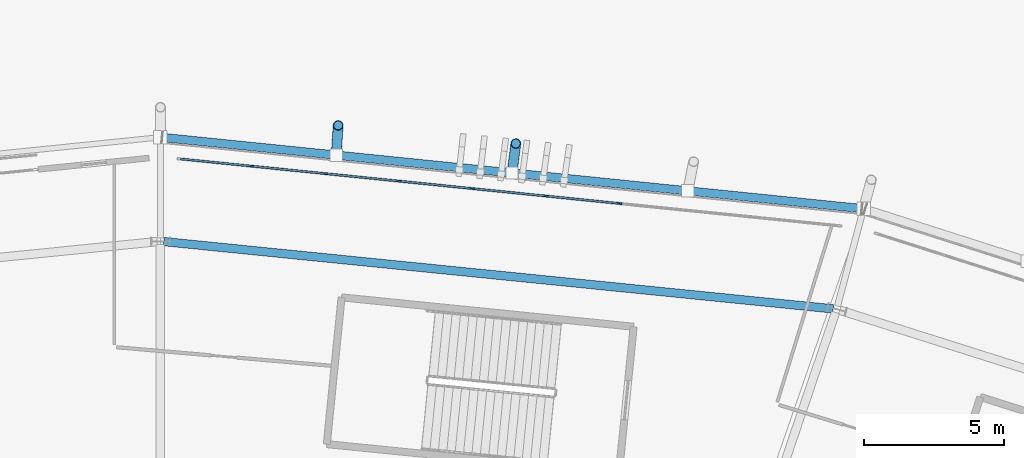
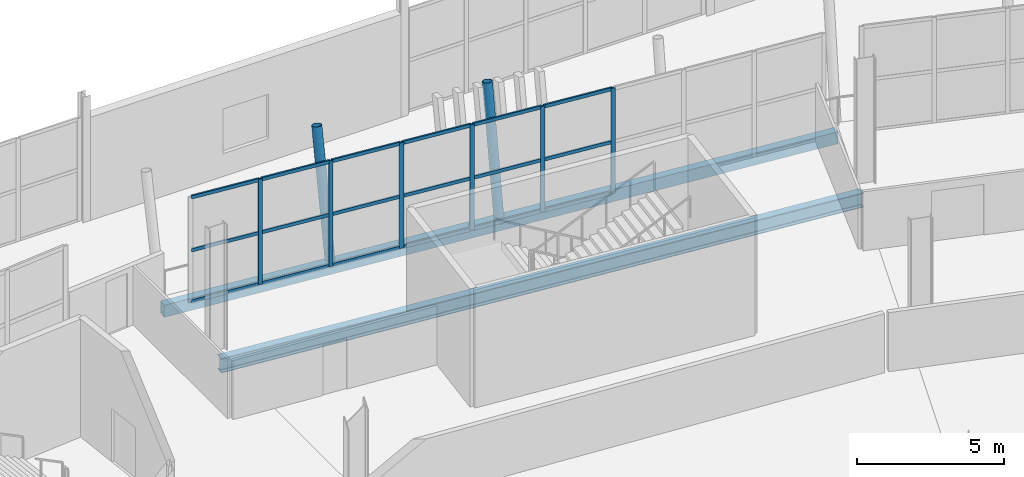
# One storey, part 71 of 168: 26 members, 2 beams, 1 element without a shape of its own.
"""IFC4 building model written with IfcOpenShell, lengths in metres."""

import ifcopenshell
import ifcopenshell.guid

model = None  # the IFC model being written
_history = None  # IfcOwnerHistory: only IFC2X3 demands one
_inside = {}  # id of a spatial element -> (the spatial element, [elements in it])
_under = {}  # id of a project, library or spatial element -> (it, [spatial elements below it])
_declared = {}  # id of a project -> (the project, [libraries it declares])
_typed = {}  # id of a type object -> (the type object, [elements of that type])
_made_of = {}  # id of a material, layer set ... -> (it, [elements and type objects made of it])


def new_model(schema):
    """Start an empty IFC model of exactly this schema.

    Asked for "IFC4X3", IfcOpenShell would pick the latest addendum, in which some entities
    have other attributes; the version numbers below select the first issue.
    IFC2X3 requires an IfcOwnerHistory on every rooted entity: one is made here for all.
    """
    global model, _history
    if schema == "IFC4X3":
        model = ifcopenshell.file(schema_version=(4, 3, 0, 0))
    else:
        model = ifcopenshell.file(schema=schema)
    _inside.clear()
    _under.clear()
    _declared.clear()
    _typed.clear()
    _made_of.clear()
    _history = None
    if model.schema == "IFC2X3":
        org = make("IfcOrganization", Name="unknown")
        user = make(
            "IfcPersonAndOrganization",
            ThePerson=make("IfcPerson", FamilyName="unknown"),
            TheOrganization=org,
        )
        app = make(
            "IfcApplication",
            ApplicationDeveloper=org,
            Version="unknown",
            ApplicationFullName="unknown",
            ApplicationIdentifier="unknown",
        )
        _history = make(
            "IfcOwnerHistory",
            OwningUser=user,
            OwningApplication=app,
            ChangeAction="ADDED",
            CreationDate=0,
        )
    return model


def make(cls, **values):
    """One entity of the class cls with the attributes given. An attribute that is None is left unset."""
    return model.create_entity(
        cls, **{name: value for name, value in values.items() if value is not None}
    )


def rooted(cls, **values):
    """An entity with a GlobalId (a new one), such as an element, a storey or a relation."""
    return make(cls, GlobalId=ifcopenshell.guid.new(), OwnerHistory=_history, **values)


def si_unit(unit_type, name, prefix=None):
    """IfcSIUnit, for example si_unit("LENGTHUNIT", "METRE", prefix="MILLI")."""
    return make("IfcSIUnit", UnitType=unit_type, Prefix=prefix, Name=name)


def assignment(units):
    """IfcUnitAssignment: the units of a project."""
    return None if units is None else make("IfcUnitAssignment", Units=units)


def point(xyz):
    """IfcCartesianPoint."""
    return None if xyz is None else make("IfcCartesianPoint", Coordinates=xyz)


def direction(xyz):
    """IfcDirection."""
    return None if xyz is None else make("IfcDirection", DirectionRatios=xyz)


def frame(location, z_axis=None, x_axis=None):
    """IfcAxis2Placement3D, a coordinate frame: its origin and axes. An axis left out is left unset."""
    return make(
        "IfcAxis2Placement3D",
        Location=point(location),
        Axis=direction(z_axis),
        RefDirection=direction(x_axis),
    )


def frame_2d(location, x_axis=None):
    """IfcAxis2Placement2D, a coordinate frame in the plane: its origin and x axis."""
    return make(
        "IfcAxis2Placement2D", Location=point(location), RefDirection=direction(x_axis)
    )


def origin():
    """The frame at (0, 0, 0) with its axes left unset."""
    return frame((0.0, 0.0, 0.0))


def origin_2d():
    """The frame at (0, 0) in the plane with its x axis left unset."""
    return frame_2d((0.0, 0.0))


def place(relative_to, where):
    """IfcLocalPlacement: puts the frame where relative to a parent placement (None: the world)."""
    return make(
        "IfcLocalPlacement", PlacementRelTo=relative_to, RelativePlacement=where
    )


def context(
    kind, dimensions, precision=None, world=None, true_north=None, identifier=None
):
    """IfcGeometricRepresentationContext, for example the 3D "Model" context."""
    return make(
        "IfcGeometricRepresentationContext",
        ContextIdentifier=identifier,
        ContextType=kind,
        CoordinateSpaceDimension=dimensions,
        Precision=precision,
        WorldCoordinateSystem=world,
        TrueNorth=true_north,
    )


def subcontext(parent, identifier, kind, view, scale=None):
    """IfcGeometricRepresentationSubContext, for example "Body" below "Model"."""
    return make(
        "IfcGeometricRepresentationSubContext",
        ContextIdentifier=identifier,
        ContextType=kind,
        ParentContext=parent,
        TargetScale=scale,
        TargetView=view,
    )


def project(units=None, contexts=None):
    """IfcProject with its units and contexts."""
    return rooted(
        "IfcProject",
        Name="project",
        RepresentationContexts=contexts,
        UnitsInContext=assignment(units),
    )


def spatial(cls, under=None, at=None, **own):
    """A site, building, storey or space (cls), placed at a placement, below another one or the project."""
    s = rooted(cls, ObjectPlacement=at, **own)
    if under is not None:
        _under.setdefault(under.id(), (under, []))[1].append(s)
    return s


def profile(cls, at=None, kind="AREA", **sizes):
    """A parametric profile (cls). Its sizes go by their IFC names, for example OverallWidth=200.0."""
    return make(cls, ProfileType=kind, Position=at, **sizes)


def rectangle(**sizes):
    """IfcRectangleProfileDef."""
    return profile("IfcRectangleProfileDef", **sizes)


def hollow_rectangle(**sizes):
    """IfcRectangleHollowProfileDef."""
    return profile("IfcRectangleHollowProfileDef", **sizes)


def hollow_circle(**sizes):
    """IfcCircleHollowProfileDef."""
    return profile("IfcCircleHollowProfileDef", **sizes)


def i_section(**sizes):
    """IfcIShapeProfileDef."""
    return profile("IfcIShapeProfileDef", **sizes)


def extrude(swept, where, along, depth):
    """IfcExtrudedAreaSolid: the profile swept, set in the frame where, extruded along a direction by depth."""
    return make(
        "IfcExtrudedAreaSolid",
        SweptArea=swept,
        Position=where,
        ExtrudedDirection=direction(along),
        Depth=depth,
    )


def shape(context_of_items, identifier, shape_type, items):
    """IfcShapeRepresentation: the items that make up one representation, for example the "Body"."""
    return make(
        "IfcShapeRepresentation",
        ContextOfItems=context_of_items,
        RepresentationIdentifier=identifier,
        RepresentationType=shape_type,
        Items=items,
    )


def material(Name=None, Category=None):
    """IfcMaterial."""
    return make("IfcMaterial", Name=Name, Category=Category)


def material_profile(
    of_material, cross_section, Name=None, Category=None, Priority=None
):
    """IfcMaterialProfile: a cross section and its material."""
    return make(
        "IfcMaterialProfile",
        Name=Name,
        Material=of_material,
        Profile=cross_section,
        Priority=Priority,
        Category=Category,
    )


def profile_set(profiles, Name=None, composite=None):
    """IfcMaterialProfileSet."""
    return make(
        "IfcMaterialProfileSet",
        Name=Name,
        MaterialProfiles=profiles,
        CompositeProfile=composite,
    )


def made_of(thing, what):
    """Note that an element or type object is made of a material, layer set ...; save() writes the relation."""
    if what is not None:
        _made_of.setdefault(what.id(), (what, []))[1].append(thing)
    return thing


def type_object(cls, material=None, **own):
    """A type object (cls), such as IfcWallType, which elements share."""
    return made_of(rooted(cls, **own), material)


def element(
    cls,
    number,
    at=None,
    inside=None,
    cuts=None,
    type_object=None,
    material=None,
    context=None,
    identifier="Body",
    shape_type=None,
    held_by="IfcProductDefinitionShape",
    body=None,
    shapes=None,
    **own,
):
    """One element of the class cls, such as IfcWall. Its Tag is "e" and its number.

    at: its placement. inside: the storey or other place that contains it. cuts: it is an
    opening in that element (IfcRelVoidsElement). A single representation is given by context,
    identifier, shape_type and body (its items); several are given by shapes. held_by: the class
    of the entity that holds the representations. save() writes the other relations.
    """
    e = rooted(cls, Tag="e%d" % number, ObjectPlacement=at, **own)
    if body is not None:
        shapes = [shape(context, identifier, shape_type, body)]
    if shapes is not None:
        e.Representation = make(held_by, Representations=shapes)
    if inside is not None:
        _inside.setdefault(inside.id(), (inside, []))[1].append(e)
    if cuts is not None:
        rooted(
            "IfcRelVoidsElement", RelatingBuildingElement=cuts, RelatedOpeningElement=e
        )
    if type_object is not None:
        _typed.setdefault(type_object.id(), (type_object, []))[1].append(e)
    return made_of(e, material)


def aggregate(whole, parts):
    """IfcRelAggregates: a whole, such as a stair, and the parts it consists of."""
    return rooted("IfcRelAggregates", RelatingObject=whole, RelatedObjects=parts)


def save(model, path):
    """Write the relations noted so far, then the file.

    IfcRelAggregates (storeys below a building ...), IfcRelContainedInSpatialStructure (elements
    in a storey), IfcRelDefinesByType, IfcRelAssociatesMaterial and IfcRelDeclares: one each for
    every whole, place, type object, material and project.
    """
    for whole, parts in _under.values():
        aggregate(whole, parts)
    for where, things in _inside.values():
        rooted(
            "IfcRelContainedInSpatialStructure",
            RelatedElements=things,
            RelatingStructure=where,
        )
    for kind, things in _typed.values():
        rooted("IfcRelDefinesByType", RelatedObjects=things, RelatingType=kind)
    for what, things in _made_of.values():
        rooted("IfcRelAssociatesMaterial", RelatedObjects=things, RelatingMaterial=what)
    for by, libraries in _declared.values():
        rooted("IfcRelDeclares", RelatingContext=by, RelatedDefinitions=libraries)
    model.write(path)


model = new_model("IFC4")

# Units and contexts
model_context = context("Model", 3, precision=1e-05, world=origin(), true_north=direction((0.0, 1.0)))
body_context = subcontext(model_context, "Body", "Model", "MODEL_VIEW")
ifc_project = project(units=[si_unit("LENGTHUNIT", "METRE"), si_unit("AREAUNIT", "SQUARE_METRE"), si_unit("VOLUMEUNIT", "CUBIC_METRE"), si_unit("PLANEANGLEUNIT", "RADIAN"), si_unit("MASSUNIT", "GRAM", prefix="KILO")], contexts=[model_context])

# Site, building, storey
site_placement = place(None, origin())
site = spatial("IfcSite", under=ifc_project, at=site_placement, CompositionType="ELEMENT")
building_placement = place(site_placement, origin())
building = spatial("IfcBuilding", under=site, at=building_placement, Name="Zlatoyarsky Gate Stadium", CompositionType="ELEMENT")
storey_placement = place(building_placement, frame((0.0, 0.0, 15.60009765625)))
storey = spatial("IfcBuildingStorey", under=building, at=storey_placement, Name="L03", CompositionType="ELEMENT", Elevation=15.60009765625)

# Curtain wall, members
ifc_material_1 = material(Name="Thermally broken anodised aluminium curtain wall", Category="aluminium")
curtain_wall_type = type_object("IfcCurtainWallType", Name="UNITISED CORPORATE BOX GLAZING L03", PredefinedType="USERDEFINED", material=ifc_material_1)
curtain_wall_placement = place(storey_placement, origin())
curtain_wall = element("IfcCurtainWall", 1, at=curtain_wall_placement, inside=storey, type_object=curtain_wall_type, Name="Curtain wall CW-L03-05", ObjectType="UNITISED GLAZING", PredefinedType="USERDEFINED")
ifc_material_2 = material(Name="Anodised aluminium 6063-T6", Category="aluminium")
ifc_material_profile_1 = material_profile(ifc_material_2, rectangle(XDim=0.06494140625, YDim=0.159912109375, at=origin_2d()), Name="ALU 65X160")
ifc_profile_set_1 = profile_set([ifc_material_profile_1], Name="Anodised aluminium 6063-T6")
member_type_1 = type_object("IfcMemberType", Name="ALUMINIUM MULLION 65X160", PredefinedType="MULLION", material=ifc_profile_set_1)
member_1_placement = place(storey_placement, frame((127.34912109375, 152.343017578125, 0.0), z_axis=(0.0, 0.0, 1.0), x_axis=(-0.100968176403, -0.994889655868, 0.0)))
member_1 = element("IfcMember", 2, at=member_1_placement, type_object=member_type_1, Name="CW-UG3 mullion 4", PredefinedType="MULLION", context=body_context, shape_type="SweptSolid", body=[
    extrude(rectangle(XDim=0.06494140625, YDim=0.159912109375, at=origin_2d()), origin(), (0.0, 0.0, 1.0), 4.3798828125),
])
member_2_placement = place(storey_placement, frame((124.732177734375, 152.608642578125, 0.0), z_axis=(0.0, 0.0, 1.0), x_axis=(-0.100968176403, -0.994889655868, 0.0)))
member_2 = element("IfcMember", 3, at=member_2_placement, type_object=member_type_1, Name="CW-UG3 mullion 5", PredefinedType="MULLION", context=body_context, shape_type="SweptSolid", body=[
    extrude(rectangle(XDim=0.06494140625, YDim=0.159912109375, at=origin_2d()), origin(), (0.0, 0.0, 1.0), 4.3798828125),
])
member_3_placement = place(storey_placement, frame((122.114990234375, 152.874267578125, 0.0), z_axis=(0.0, 0.0, 1.0), x_axis=(-0.100968176403, -0.994889655868, 0.0)))
member_3 = element("IfcMember", 4, at=member_3_placement, type_object=member_type_1, Name="CW-UG3 mullion 6", PredefinedType="MULLION", context=body_context, shape_type="SweptSolid", body=[
    extrude(rectangle(XDim=0.06494140625, YDim=0.159912109375, at=origin_2d()), origin(), (0.0, 0.0, 1.0), 4.3798828125),
])
member_4_placement = place(storey_placement, frame((119.498046875, 153.139892578125, 0.0), z_axis=(0.0, 0.0, 1.0), x_axis=(-0.100968176403, -0.994889655868, 0.0)))
member_4 = element("IfcMember", 5, at=member_4_placement, type_object=member_type_1, Name="CW-UG3 mullion 7", PredefinedType="MULLION", context=body_context, shape_type="SweptSolid", body=[
    extrude(rectangle(XDim=0.06494140625, YDim=0.159912109375, at=origin_2d()), origin(), (0.0, 0.0, 1.0), 4.3798828125),
])
member_5_placement = place(storey_placement, frame((116.880859375, 153.405517578125, 0.0), z_axis=(0.0, 0.0, 1.0), x_axis=(-0.100968176403, -0.994889655868, 0.0)))
member_5 = element("IfcMember", 6, at=member_5_placement, type_object=member_type_1, Name="CW-UG3 mullion 8", PredefinedType="MULLION", context=body_context, shape_type="SweptSolid", body=[
    extrude(rectangle(XDim=0.06494140625, YDim=0.159912109375, at=origin_2d()), origin(), (0.0, 0.0, 1.0), 4.3798828125),
])
member_6_placement = place(storey_placement, frame((114.263671875, 153.6708984375, 0.0), z_axis=(0.0, 0.0, 1.0), x_axis=(-0.100968176403, -0.994889655868, 0.0)))
member_6 = element("IfcMember", 7, at=member_6_placement, type_object=member_type_1, Name="CW-UG3 mullion 9", PredefinedType="MULLION", context=body_context, shape_type="SweptSolid", body=[
    extrude(rectangle(XDim=0.06494140625, YDim=0.159912109375, at=origin_2d()), origin(), (0.0, 0.0, 1.0), 4.3798828125),
])
ifc_material_profile_2 = material_profile(ifc_material_2, rectangle(XDim=0.06494140625, YDim=0.139892578125, at=origin_2d()), Name="ALU 65X140")
ifc_profile_set_2 = profile_set([ifc_material_profile_2], Name="Anodised aluminium 6063-T6")
member_type_2 = type_object("IfcMemberType", Name="ALUMINIUM TRANSOM 65X140", PredefinedType="USERDEFINED", material=ifc_profile_set_2)
member_7_placement = place(storey_placement, frame((127.31689453125, 152.34619140625, 0.032470703125), z_axis=(-0.994890082067, 0.100963976765, 0.0), x_axis=(-0.100963976765, -0.994890082067, 0.0)))
member_7 = element("IfcMember", 8, at=member_7_placement, type_object=member_type_2, Name="CW-UG3 transom 4.1", ObjectType="TRANSOM", PredefinedType="USERDEFINED", context=body_context, shape_type="SweptSolid", body=[
    extrude(rectangle(XDim=0.06494140625, YDim=0.139892578125, at=origin_2d()), origin(), (0.0, 0.0, 1.0), 2.565673828125),
])
member_8_placement = place(storey_placement, frame((127.31689453125, 152.34619140625, 2.14990234375), z_axis=(-0.994890082067, 0.100963976765, 0.0), x_axis=(-0.100963976765, -0.994890082067, 0.0)))
member_8 = element("IfcMember", 9, at=member_8_placement, type_object=member_type_2, Name="CW-UG3 transom 4.2", ObjectType="TRANSOM", PredefinedType="USERDEFINED", context=body_context, shape_type="SweptSolid", body=[
    extrude(rectangle(XDim=0.06494140625, YDim=0.139892578125, at=origin_2d()), origin(), (0.0, 0.0, 1.0), 2.565673828125),
])
member_9_placement = place(storey_placement, frame((127.31689453125, 152.34619140625, 4.347412109375), z_axis=(-0.994890082067, 0.100963976765, 0.0), x_axis=(-0.100963976765, -0.994890082067, 0.0)))
member_9 = element("IfcMember", 10, at=member_9_placement, type_object=member_type_2, Name="CW-UG3 transom 4.3", ObjectType="TRANSOM", PredefinedType="USERDEFINED", context=body_context, shape_type="SweptSolid", body=[
    extrude(rectangle(XDim=0.06494140625, YDim=0.139892578125, at=origin_2d()), origin(), (0.0, 0.0, 1.0), 2.565673828125),
])
member_10_placement = place(storey_placement, frame((124.69970703125, 152.61181640625, 0.032470703125), z_axis=(-0.994889111902, 0.100973536228, 0.0), x_axis=(-0.100973536228, -0.994889111902, 0.0)))
member_10 = element("IfcMember", 11, at=member_10_placement, type_object=member_type_2, Name="CW-UG3 transom 5.1", ObjectType="TRANSOM", PredefinedType="USERDEFINED", context=body_context, shape_type="SweptSolid", body=[
    extrude(rectangle(XDim=0.06494140625, YDim=0.139892578125, at=origin_2d()), origin(), (0.0, 0.0, 1.0), 2.5654296875),
])
member_11_placement = place(storey_placement, frame((124.69970703125, 152.61181640625, 2.14990234375), z_axis=(-0.994889111902, 0.100973536228, 0.0), x_axis=(-0.100973536228, -0.994889111902, 0.0)))
member_11 = element("IfcMember", 12, at=member_11_placement, type_object=member_type_2, Name="CW-UG3 transom 5.2", ObjectType="TRANSOM", PredefinedType="USERDEFINED", context=body_context, shape_type="SweptSolid", body=[
    extrude(rectangle(XDim=0.06494140625, YDim=0.139892578125, at=origin_2d()), origin(), (0.0, 0.0, 1.0), 2.5654296875),
])
member_12_placement = place(storey_placement, frame((124.69970703125, 152.61181640625, 4.347412109375), z_axis=(-0.994889111902, 0.100973536228, 0.0), x_axis=(-0.100973536228, -0.994889111902, 0.0)))
member_12 = element("IfcMember", 13, at=member_12_placement, type_object=member_type_2, Name="CW-UG3 transom 5.3", ObjectType="TRANSOM", PredefinedType="USERDEFINED", context=body_context, shape_type="SweptSolid", body=[
    extrude(rectangle(XDim=0.06494140625, YDim=0.139892578125, at=origin_2d()), origin(), (0.0, 0.0, 1.0), 2.5654296875),
])
member_13_placement = place(storey_placement, frame((122.082763671875, 152.87744140625, 0.032470703125), z_axis=(-0.994890082067, 0.100963976765, 0.0), x_axis=(-0.100963976765, -0.994890082067, 0.0)))
member_13 = element("IfcMember", 14, at=member_13_placement, type_object=member_type_2, Name="CW-UG3 transom 6.1", ObjectType="TRANSOM", PredefinedType="USERDEFINED", context=body_context, shape_type="SweptSolid", body=[
    extrude(rectangle(XDim=0.06494140625, YDim=0.139892578125, at=origin_2d()), origin(), (0.0, 0.0, 1.0), 2.565673828125),
])
member_14_placement = place(storey_placement, frame((122.082763671875, 152.87744140625, 2.14990234375), z_axis=(-0.994890082067, 0.100963976765, 0.0), x_axis=(-0.100963976765, -0.994890082067, 0.0)))
member_14 = element("IfcMember", 15, at=member_14_placement, type_object=member_type_2, Name="CW-UG3 transom 6.2", ObjectType="TRANSOM", PredefinedType="USERDEFINED", context=body_context, shape_type="SweptSolid", body=[
    extrude(rectangle(XDim=0.06494140625, YDim=0.139892578125, at=origin_2d()), origin(), (0.0, 0.0, 1.0), 2.565673828125),
])
member_15_placement = place(storey_placement, frame((122.082763671875, 152.87744140625, 4.347412109375), z_axis=(-0.994890082067, 0.100963976765, 0.0), x_axis=(-0.100963976765, -0.994890082067, 0.0)))
member_15 = element("IfcMember", 16, at=member_15_placement, type_object=member_type_2, Name="CW-UG3 transom 6.3", ObjectType="TRANSOM", PredefinedType="USERDEFINED", context=body_context, shape_type="SweptSolid", body=[
    extrude(rectangle(XDim=0.06494140625, YDim=0.139892578125, at=origin_2d()), origin(), (0.0, 0.0, 1.0), 2.565673828125),
])
member_16_placement = place(storey_placement, frame((119.465576171875, 153.14306640625, 0.032470703125), z_axis=(-0.994889111902, 0.100973536228, 0.0), x_axis=(-0.100973536228, -0.994889111902, 0.0)))
member_16 = element("IfcMember", 17, at=member_16_placement, type_object=member_type_2, Name="CW-UG3 transom 7.1", ObjectType="TRANSOM", PredefinedType="USERDEFINED", context=body_context, shape_type="SweptSolid", body=[
    extrude(rectangle(XDim=0.06494140625, YDim=0.139892578125, at=origin_2d()), origin(), (0.0, 0.0, 1.0), 2.5654296875),
])
member_17_placement = place(storey_placement, frame((119.465576171875, 153.14306640625, 2.14990234375), z_axis=(-0.994889111902, 0.100973536228, 0.0), x_axis=(-0.100973536228, -0.994889111902, 0.0)))
member_17 = element("IfcMember", 18, at=member_17_placement, type_object=member_type_2, Name="CW-UG3 transom 7.2", ObjectType="TRANSOM", PredefinedType="USERDEFINED", context=body_context, shape_type="SweptSolid", body=[
    extrude(rectangle(XDim=0.06494140625, YDim=0.139892578125, at=origin_2d()), origin(), (0.0, 0.0, 1.0), 2.5654296875),
])
member_18_placement = place(storey_placement, frame((119.465576171875, 153.14306640625, 4.347412109375), z_axis=(-0.994889111902, 0.100973536228, 0.0), x_axis=(-0.100973536228, -0.994889111902, 0.0)))
member_18 = element("IfcMember", 19, at=member_18_placement, type_object=member_type_2, Name="CW-UG3 transom 7.3", ObjectType="TRANSOM", PredefinedType="USERDEFINED", context=body_context, shape_type="SweptSolid", body=[
    extrude(rectangle(XDim=0.06494140625, YDim=0.139892578125, at=origin_2d()), origin(), (0.0, 0.0, 1.0), 2.5654296875),
])
member_19_placement = place(storey_placement, frame((116.8486328125, 153.40869140625, 0.032470703125), z_axis=(-0.994890082067, 0.100963976765, 0.0), x_axis=(-0.100963976765, -0.994890082067, 0.0)))
member_19 = element("IfcMember", 20, at=member_19_placement, type_object=member_type_2, Name="CW-UG3 transom 8.1", ObjectType="TRANSOM", PredefinedType="USERDEFINED", context=body_context, shape_type="SweptSolid", body=[
    extrude(rectangle(XDim=0.06494140625, YDim=0.139892578125, at=origin_2d()), origin(), (0.0, 0.0, 1.0), 2.565673828125),
])
member_20_placement = place(storey_placement, frame((116.8486328125, 153.40869140625, 2.14990234375), z_axis=(-0.994890082067, 0.100963976765, 0.0), x_axis=(-0.100963976765, -0.994890082067, 0.0)))
member_20 = element("IfcMember", 21, at=member_20_placement, type_object=member_type_2, Name="CW-UG3 transom 8.2", ObjectType="TRANSOM", PredefinedType="USERDEFINED", context=body_context, shape_type="SweptSolid", body=[
    extrude(rectangle(XDim=0.06494140625, YDim=0.139892578125, at=origin_2d()), origin(), (0.0, 0.0, 1.0), 2.565673828125),
])
member_21_placement = place(storey_placement, frame((116.8486328125, 153.40869140625, 4.347412109375), z_axis=(-0.994890082067, 0.100963976765, 0.0), x_axis=(-0.100963976765, -0.994890082067, 0.0)))
member_21 = element("IfcMember", 22, at=member_21_placement, type_object=member_type_2, Name="CW-UG3 transom 8.3", ObjectType="TRANSOM", PredefinedType="USERDEFINED", context=body_context, shape_type="SweptSolid", body=[
    extrude(rectangle(XDim=0.06494140625, YDim=0.139892578125, at=origin_2d()), origin(), (0.0, 0.0, 1.0), 2.565673828125),
])
member_22_placement = place(storey_placement, frame((114.2314453125, 153.67431640625, 0.032470703125), z_axis=(-0.994894949116, 0.100916005786, 0.0), x_axis=(-0.100916005786, -0.994894949116, 0.0)))
member_22 = element("IfcMember", 23, at=member_22_placement, type_object=member_type_2, Name="CW-UG3 transom 9.1", ObjectType="TRANSOM", PredefinedType="USERDEFINED", context=body_context, shape_type="SweptSolid", body=[
    extrude(rectangle(XDim=0.06494140625, YDim=0.139892578125, at=origin_2d()), origin(), (0.0, 0.0, 1.0), 2.532958984375),
])
member_23_placement = place(storey_placement, frame((114.2314453125, 153.67431640625, 2.14990234375), z_axis=(-0.994894949116, 0.100916005786, 0.0), x_axis=(-0.100916005786, -0.994894949116, 0.0)))
member_23 = element("IfcMember", 24, at=member_23_placement, type_object=member_type_2, Name="CW-UG3 transom 9.2", ObjectType="TRANSOM", PredefinedType="USERDEFINED", context=body_context, shape_type="SweptSolid", body=[
    extrude(rectangle(XDim=0.06494140625, YDim=0.139892578125, at=origin_2d()), origin(), (0.0, 0.0, 1.0), 2.532958984375),
])
member_24_placement = place(storey_placement, frame((114.2314453125, 153.67431640625, 4.347412109375), z_axis=(-0.994894949116, 0.100916005786, 0.0), x_axis=(-0.100916005786, -0.994894949116, 0.0)))
member_24 = element("IfcMember", 25, at=member_24_placement, type_object=member_type_2, Name="CW-UG3 transom 9.3", ObjectType="TRANSOM", PredefinedType="USERDEFINED", context=body_context, shape_type="SweptSolid", body=[
    extrude(rectangle(XDim=0.06494140625, YDim=0.139892578125, at=origin_2d()), origin(), (0.0, 0.0, 1.0), 2.532958984375),
])
aggregate(curtain_wall, [member_1, member_2, member_3, member_4, member_5, member_6, member_7, member_8, member_9, member_10, member_11, member_12, member_13, member_14, member_15, member_16, member_17, member_18, member_19, member_20, member_21, member_22, member_23, member_24])

# Members
ifc_material_3 = material(Name="Steel S355", Category="steel")
ifc_material_profile_3 = material_profile(ifc_material_3, hollow_circle(Radius=0.177734375, WallThickness=0.02001953125, at=origin_2d()), Name="CHS 355.6X20")
ifc_profile_set_3 = profile_set([ifc_material_profile_3], Name="Steel S355")
member_type_3 = type_object("IfcMemberType", Name="STEEL LEANING RIB RING STRUT CHS 355.6X20", PredefinedType="STRUT", material=ifc_profile_set_3)
member_25_placement = place(storey_placement, frame((123.51416015625, 153.429443359375, -0.530029296875), z_axis=(0.026136726515, 0.198472880854, 0.979757820633), x_axis=(-0.991440157166, 0.130561919254, 0.0)))
element("IfcMember", 26, at=member_25_placement, inside=storey, type_object=member_type_3, Name="Outward-leaning bowl louvre fin rib L03 05-2", PredefinedType="STRUT", context=body_context, shape_type="SweptSolid", body=[
    extrude(hollow_circle(Radius=0.177734375, WallThickness=0.02001953125, at=origin_2d()), origin(), (0.0, 0.0, 1.0), 5.286865234375),
])
member_26_placement = place(storey_placement, frame((117.257080078125, 154.06591796875, -0.530029296875), z_axis=(0.013067381265, 0.200120248765, 0.979684198903), x_axis=(-0.997874901987, 0.065158882617, 0.0)))
element("IfcMember", 27, at=member_26_placement, inside=storey, type_object=member_type_3, Name="Outward-leaning bowl louvre fin rib L03 05-3", PredefinedType="STRUT", context=body_context, shape_type="SweptSolid", body=[
    extrude(hollow_circle(Radius=0.177734375, WallThickness=0.02001953125, at=origin_2d()), origin(), (0.0, 0.0, 1.0), 5.287353515625),
])

# Beams
ifc_material_profile_4 = material_profile(ifc_material_3, hollow_rectangle(XDim=0.300048828125, YDim=0.5, WallThickness=0.02001953125, at=origin_2d()), Name="RHS 500X300X20")
ifc_profile_set_4 = profile_set([ifc_material_profile_4], Name="Steel S355")
beam_type_1 = type_object("IfcBeamType", Name="STEEL LOUVRE CARRIER SPANDREL RHS 500X300X20", PredefinedType="SPANDREL", material=ifc_profile_set_4)
beam_1_placement = place(storey_placement, frame((136.008544921875, 152.15869140625, -0.530029296875), z_axis=(-0.994867643299, 0.101184842327, 0.0), x_axis=(-0.101184842327, -0.994867643299, 0.0)))
element("IfcBeam", 28, at=beam_1_placement, inside=storey, type_object=beam_type_1, Name="Beam SP-RHS500 BM-L03-SPD-05", PredefinedType="SPANDREL", context=body_context, shape_type="SweptSolid", body=[
    extrude(hollow_rectangle(XDim=0.300048828125, YDim=0.5, WallThickness=0.02001953125, at=origin_2d()), origin(), (0.0, 0.0, 1.0), 25.117431640625),
])
ifc_material_profile_5 = material_profile(ifc_material_3, i_section(OverallWidth=0.300048828125, OverallDepth=0.60009765625, WebThickness=0.015380859375, FlangeThickness=0.030029296875, FilletRadius=0.027099609375, at=origin_2d()), Name="HEB 600")
ifc_profile_set_5 = profile_set([ifc_material_profile_5], Name="Steel S355")
beam_type_2 = type_object("IfcBeamType", Name="STEEL PRIMARY GIRDER HEB 600", PredefinedType="BEAM", material=ifc_profile_set_5)
beam_2_placement = place(storey_placement, frame((134.95068359375, 148.5927734375, -0.580078125), z_axis=(-0.994986905268, 0.100005291586, 0.0), x_axis=(-0.100005291586, -0.994986905268, 0.0)))
element("IfcBeam", 29, at=beam_2_placement, inside=storey, type_object=beam_type_2, Name="Beam G-HEB600 BM-L03-CRC-05", PredefinedType="BEAM", context=body_context, shape_type="SweptSolid", body=[
    extrude(i_section(OverallWidth=0.300048828125, OverallDepth=0.60009765625, WebThickness=0.015380859375, FlangeThickness=0.030029296875, FilletRadius=0.027099609375, at=origin_2d()), origin(), (0.0, 0.0, 1.0), 23.951416015625),
])

save(model, "model.ifc")
